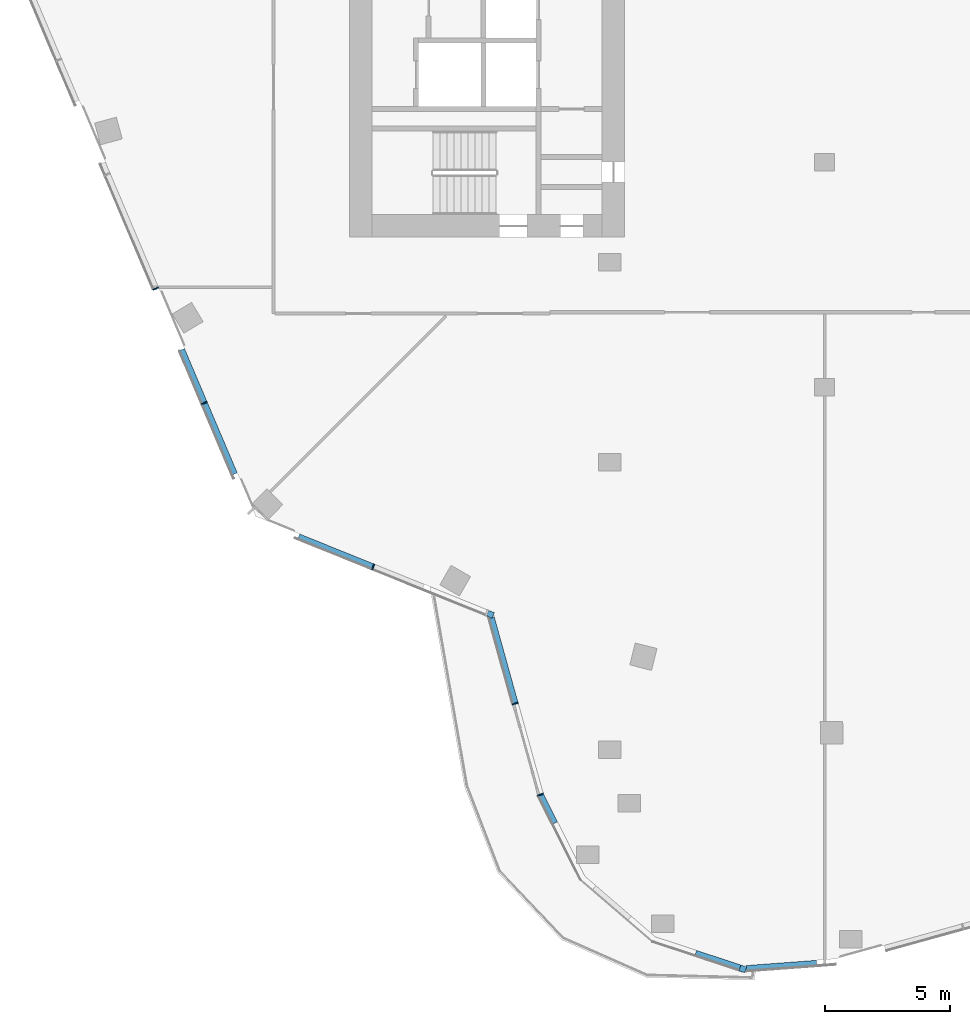
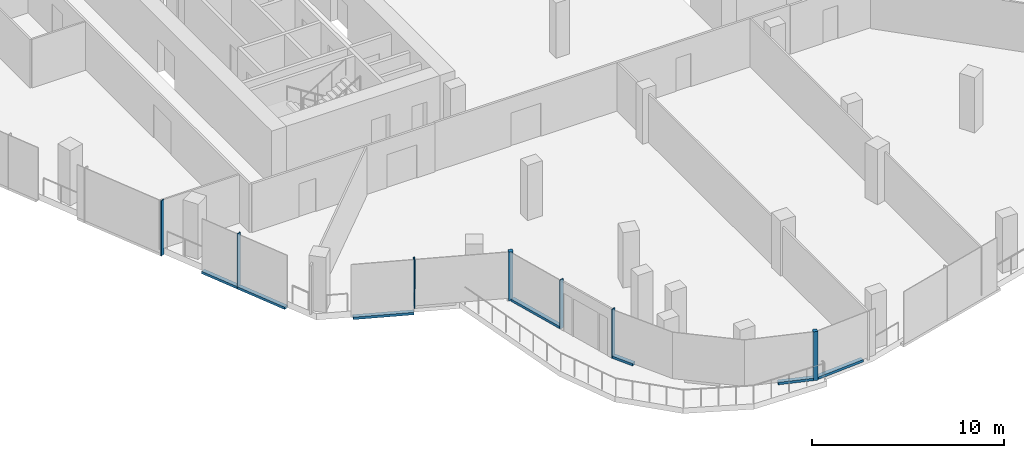
# One storey, part 2 of 26: 13 members, 6 elements without a shape of their own.
"""IFC4 building model written with IfcOpenShell, lengths in metres."""

from ifc_helpers import new_model, si_unit, direction, frame, origin, origin_2d, place, context, subcontext, project, spatial, rectangle, extrude, material, material_profile, profile_set, type_object, element, aggregate, save


model = new_model("IFC4")

# Units and contexts
model_context = context("Model", 3, precision=1e-05, world=origin(), true_north=direction((0.0, 1.0)))
body_context = subcontext(model_context, "Body", "Model", "MODEL_VIEW")
ifc_project = project(units=[si_unit("LENGTHUNIT", "METRE"), si_unit("AREAUNIT", "SQUARE_METRE"), si_unit("VOLUMEUNIT", "CUBIC_METRE"), si_unit("PLANEANGLEUNIT", "RADIAN"), si_unit("MASSUNIT", "GRAM", prefix="KILO")], contexts=[model_context])

# Site, building, storey
site_placement = place(None, origin())
site = spatial("IfcSite", under=ifc_project, at=site_placement, CompositionType="ELEMENT")
building_placement = place(site_placement, origin())
building = spatial("IfcBuilding", under=site, at=building_placement, Name="Orlundy Tower", CompositionType="ELEMENT")
storey_placement = place(building_placement, frame((0.0, 0.0, 275.39990234375)))
storey = spatial("IfcBuildingStorey", under=building, at=storey_placement, Name="L73", CompositionType="ELEMENT", Elevation=275.39990234375)

# Curtain wall, member
ifc_material_1 = material(Name="Aluminium bronze anodised", Category="aluminium")
curtain_wall_type = type_object("IfcCurtainWallType", Name="CW6 wall", PredefinedType="NOTDEFINED", material=ifc_material_1)
curtain_wall_1_placement = place(storey_placement, origin())
curtain_wall_1 = element("IfcCurtainWall", 1, at=curtain_wall_1_placement, inside=storey, type_object=curtain_wall_type, Name="CW6 run 09", PredefinedType="NOTDEFINED")
ifc_material_2 = material(Name="Aluminium bronze anodised", Category="aluminium")
ifc_material_profile_1 = material_profile(ifc_material_2, rectangle(XDim=0.239990234375, YDim=0.239990234375, at=origin_2d()), Name="CW6 corner post 240x240")
ifc_profile_set_1 = profile_set([ifc_material_profile_1], Name="Aluminium bronze anodised")
member_type_1 = type_object("IfcMemberType", Name="CW6 corner post 240x240", PredefinedType="MULLION", material=ifc_profile_set_1)
member_1_placement = place(storey_placement, frame((-3.27392578125, -41.265380859375, 0.0), z_axis=(0.0, 0.0, 1.0), x_axis=(-0.313231470951, -0.949676811134, 0.0)))
member_1 = element("IfcMember", 2, at=member_1_placement, type_object=member_type_1, Name="CW6 mullion 15", PredefinedType="MULLION", context=body_context, shape_type="SweptSolid", body=[
    extrude(rectangle(XDim=0.239990234375, YDim=0.239990234375, at=origin_2d()), origin(), (0.0, 0.0, 1.0), 3.10009765625),
])

curtain_wall_2_placement = place(storey_placement, origin())
curtain_wall_2 = element("IfcCurtainWall", 3, at=curtain_wall_2_placement, inside=storey, type_object=curtain_wall_type, Name="CW6 run 013", PredefinedType="NOTDEFINED")
member_2_placement = place(storey_placement, frame((-13.367919921875, -27.083984375, 0.0), z_axis=(0.0, 0.0, 1.0), x_axis=(-0.374521193474, -0.927218353808, 0.0)))
member_2 = element("IfcMember", 4, at=member_2_placement, type_object=member_type_1, Name="CW6 mullion 20", PredefinedType="MULLION", context=body_context, shape_type="SweptSolid", body=[
    extrude(rectangle(XDim=0.239990234375, YDim=0.239990234375, at=origin_2d()), origin(), (0.0, 0.0, 1.0), 3.10009765625),
])

# Curtain wall, members
curtain_wall_3_placement = place(storey_placement, origin())
curtain_wall_3 = element("IfcCurtainWall", 5, at=curtain_wall_3_placement, inside=storey, type_object=curtain_wall_type, Name="CW6 run 012", PredefinedType="NOTDEFINED")
ifc_material_3 = material(Name="Aluminium bronze anodised", Category="aluminium")
ifc_material_profile_2 = material_profile(ifc_material_3, rectangle(XDim=0.239990234375, YDim=0.050048828125, at=origin_2d()), Name="CW6 mullion 50x240")
ifc_profile_set_2 = profile_set([ifc_material_profile_2], Name="Aluminium bronze anodised")
member_type_2 = type_object("IfcMemberType", Name="CW6 mullion 50x240", PredefinedType="MULLION", material=ifc_profile_set_2)
member_3_placement = place(storey_placement, frame((-11.367431640625, -34.29736328125, 0.0), z_axis=(0.0, 0.0, 1.0), x_axis=(-0.93281502781, -0.360355552047, 0.0)))
member_3 = element("IfcMember", 6, at=member_3_placement, type_object=member_type_2, Name="CW6 mullion 18", PredefinedType="MULLION", context=body_context, shape_type="SweptSolid", body=[
    extrude(rectangle(XDim=0.239990234375, YDim=0.050048828125, at=origin_2d()), origin(), (0.0, 0.0, 1.0), 3.10009765625),
])
member_4_placement = place(storey_placement, frame((-12.377197265625, -30.656494140625, 0.0), z_axis=(0.0, 0.0, 1.0), x_axis=(-0.963633832911, -0.267226188967, 0.0)))
member_4 = element("IfcMember", 7, at=member_4_placement, type_object=member_type_2, Name="CW6 mullion 19", PredefinedType="MULLION", context=body_context, shape_type="SweptSolid", body=[
    extrude(rectangle(XDim=0.239990234375, YDim=0.050048828125, at=origin_2d()), origin(), (0.0, 0.0, 1.0), 3.10009765625),
])

# Member
member_5_placement = place(storey_placement, frame((-18.058837890625, -25.189208984375, 0.0), z_axis=(0.0, 0.0, 1.0), x_axis=(-0.374521193474, -0.927218353808, 0.0)))
member_5 = element("IfcMember", 8, at=member_5_placement, type_object=member_type_2, Name="CW6 mullion 21", PredefinedType="MULLION", context=body_context, shape_type="SweptSolid", body=[
    extrude(rectangle(XDim=0.239990234375, YDim=0.050048828125, at=origin_2d()), origin(), (0.0, 0.0, 1.0), 3.10009765625),
])

# Curtain wall, members
curtain_wall_4_placement = place(storey_placement, origin())
curtain_wall_4 = element("IfcCurtainWall", 9, at=curtain_wall_4_placement, inside=storey, type_object=curtain_wall_type, Name="CW6 run 014", PredefinedType="NOTDEFINED")
member_6_placement = place(storey_placement, frame((-24.812744140625, -18.63232421875, -0.39990234375), z_axis=(0.0, 0.0, 1.0), x_axis=(-0.920506804854, -0.390726531244, 0.0)))
member_6 = element("IfcMember", 10, at=member_6_placement, type_object=member_type_2, Name="CW6 mullion 23", PredefinedType="MULLION", context=body_context, shape_type="SweptSolid", body=[
    extrude(rectangle(XDim=0.239990234375, YDim=0.050048828125, at=origin_2d()), origin(), (0.0, 0.0, 1.0), 3.5),
])
member_7_placement = place(storey_placement, frame((-26.7548828125, -14.056640625, -0.39990234375), z_axis=(0.0, 0.0, 1.0), x_axis=(-0.920506804854, -0.390726531244, 0.0)))
member_7 = element("IfcMember", 11, at=member_7_placement, type_object=member_type_2, Name="CW6 mullion 24", PredefinedType="MULLION", context=body_context, shape_type="SweptSolid", body=[
    extrude(rectangle(XDim=0.239990234375, YDim=0.050048828125, at=origin_2d()), origin(), (0.0, 0.0, 1.0), 3.5),
])

# Curtain wall, member
curtain_wall_5_placement = place(storey_placement, origin())
curtain_wall_5 = element("IfcCurtainWall", 12, at=curtain_wall_5_placement, inside=storey, type_object=curtain_wall_type, Name="CW6 run 08", PredefinedType="NOTDEFINED")
ifc_material_4 = material(Name="Aluminium bronze anodised", Category="aluminium")
ifc_material_profile_3 = material_profile(ifc_material_4, rectangle(XDim=0.239990234375, YDim=0.159912109375, at=origin_2d()), Name="CW6 transom 240x160")
ifc_profile_set_3 = profile_set([ifc_material_profile_3], Name="Aluminium bronze anodised")
member_type_3 = type_object("IfcMemberType", Name="CW6 transom 240x160", PredefinedType="USERDEFINED", material=ifc_profile_set_3)
member_8_placement = place(storey_placement, frame((-0.32421875, -41.046142578125, 0.080078125), z_axis=(-0.997246276148, -0.074161072739, 0.0), x_axis=(0.074161072739, -0.997246276148, 0.0)))
member_8 = element("IfcMember", 13, at=member_8_placement, type_object=member_type_3, Name="CW6 transom", ObjectType="TRANSOM", PredefinedType="USERDEFINED", context=body_context, shape_type="SweptSolid", body=[
    extrude(rectangle(XDim=0.239990234375, YDim=0.159912109375, at=origin_2d()), origin(), (0.0, 0.0, 1.0), 2.827880859375),
])
aggregate(curtain_wall_5, [member_8])

# Member
member_9_placement = place(storey_placement, frame((-3.387939453125, -41.227783203125, 0.080078125), z_axis=(-0.9496750715, 0.313236745245, 0.0), x_axis=(-0.313236745245, -0.9496750715, 0.0)))
member_9 = element("IfcMember", 14, at=member_9_placement, type_object=member_type_3, Name="CW6 transom", ObjectType="TRANSOM", PredefinedType="USERDEFINED", context=body_context, shape_type="SweptSolid", body=[
    extrude(rectangle(XDim=0.239990234375, YDim=0.159912109375, at=origin_2d()), origin(), (0.0, 0.0, 1.0), 1.862060546875),
])

aggregate(curtain_wall_1, [member_1, member_9])

# Curtain wall, member
curtain_wall_6_placement = place(storey_placement, origin())
curtain_wall_6 = element("IfcCurtainWall", 15, at=curtain_wall_6_placement, inside=storey, type_object=curtain_wall_type, Name="CW6 run 011", PredefinedType="NOTDEFINED")
member_10_placement = place(storey_placement, frame((-10.791748046875, -35.43994140625, 0.080078125), z_axis=(-0.450014256636, 0.893021370867, 0.0), x_axis=(-0.893021370867, -0.450014256636, 0.0)))
member_10 = element("IfcMember", 16, at=member_10_placement, type_object=member_type_3, Name="CW6 transom", ObjectType="TRANSOM", PredefinedType="USERDEFINED", context=body_context, shape_type="SweptSolid", body=[
    extrude(rectangle(XDim=0.239990234375, YDim=0.159912109375, at=origin_2d()), origin(), (0.0, 0.0, 1.0), 1.25439453125),
])
aggregate(curtain_wall_6, [member_10])

# Member
member_11_placement = place(storey_placement, frame((-12.3837890625, -30.632568359375, 0.080078125), z_axis=(-0.267215938479, 0.963636675424, 0.0), x_axis=(-0.963636675424, -0.267215938479, 0.0)))
member_11 = element("IfcMember", 17, at=member_11_placement, type_object=member_type_3, Name="CW6 transom", ObjectType="TRANSOM", PredefinedType="USERDEFINED", context=body_context, shape_type="SweptSolid", body=[
    extrude(rectangle(XDim=0.239990234375, YDim=0.159912109375, at=origin_2d()), origin(), (0.0, 0.0, 1.0), 3.53125),
])

aggregate(curtain_wall_3, [member_3, member_4, member_11])

member_12_placement = place(storey_placement, frame((-18.08203125, -25.179931640625, -0.31982421875), z_axis=(-0.927220889762, 0.374514915041, 0.0), x_axis=(-0.374514915041, -0.927220889762, 0.0)))
member_12 = element("IfcMember", 18, at=member_12_placement, type_object=member_type_3, Name="CW6 transom", ObjectType="TRANSOM", PredefinedType="USERDEFINED", context=body_context, shape_type="SweptSolid", body=[
    extrude(rectangle(XDim=0.239990234375, YDim=0.159912109375, at=origin_2d()), origin(), (0.0, 0.0, 1.0), 3.19091796875),
])

aggregate(curtain_wall_2, [member_2, member_5, member_12])

member_13_placement = place(storey_placement, frame((-23.607177734375, -21.47216796875, -0.31982421875), z_axis=(-0.390720459899, 0.920509381927, 0.0), x_axis=(-0.920509381927, -0.390720459899, 0.0)))
member_13 = element("IfcMember", 19, at=member_13_placement, type_object=member_type_3, Name="CW6 transom", ObjectType="TRANSOM", PredefinedType="USERDEFINED", context=body_context, shape_type="SweptSolid", body=[
    extrude(rectangle(XDim=0.239990234375, YDim=0.159912109375, at=origin_2d()), origin(), (0.0, 0.0, 1.0), 5.40185546875),
])

aggregate(curtain_wall_4, [member_6, member_7, member_13])

save(model, "model.ifc")
